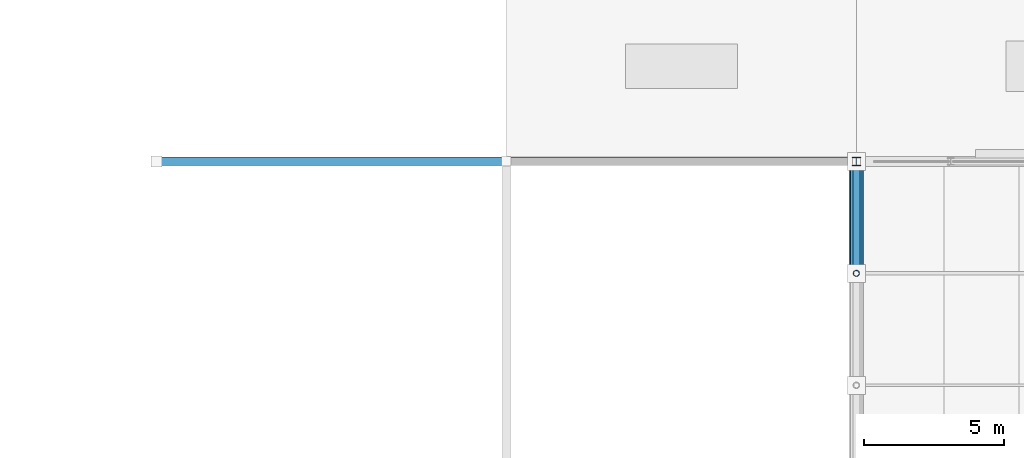
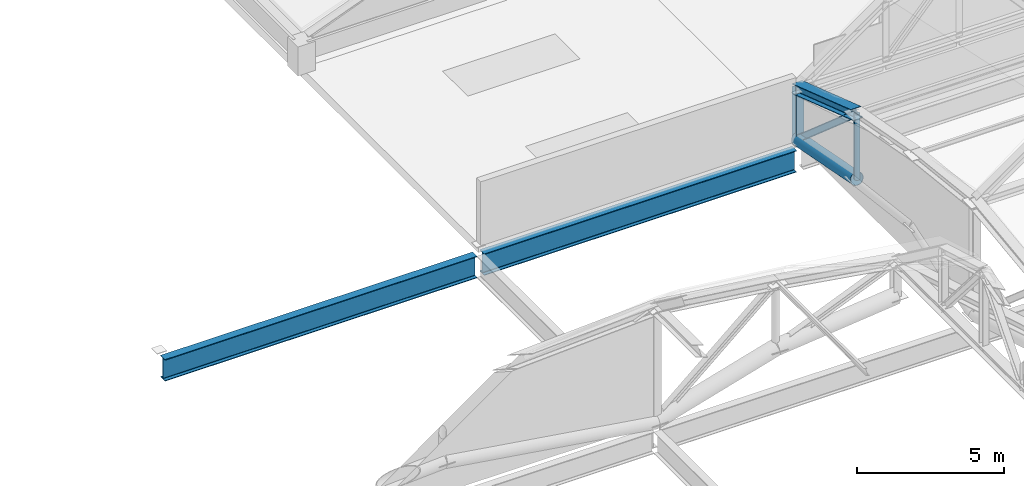
# One storey, part 78 of 117: 5 members, 2 beams.
"""IFC4 building model written with IfcOpenShell, lengths in metres."""

from ifc_helpers import new_model, si_unit, direction, frame, origin, origin_2d, place, context, subcontext, project, spatial, hollow_circle, i_section, extrude, material, material_profile, profile_set, type_object, element, save


model = new_model("IFC4")

# Units and contexts
model_context = context("Model", 3, precision=1e-05, world=origin(), true_north=direction((0.0, 1.0)))
body_context = subcontext(model_context, "Body", "Model", "MODEL_VIEW")
ifc_project = project(units=[si_unit("LENGTHUNIT", "METRE"), si_unit("AREAUNIT", "SQUARE_METRE"), si_unit("VOLUMEUNIT", "CUBIC_METRE"), si_unit("PLANEANGLEUNIT", "RADIAN"), si_unit("MASSUNIT", "GRAM", prefix="KILO")], contexts=[model_context])

# Site, building, storey
site_placement = place(None, origin())
site = spatial("IfcSite", under=ifc_project, at=site_placement, CompositionType="ELEMENT")
building_placement = place(site_placement, origin())
building = spatial("IfcBuilding", under=site, at=building_placement, Name="Kazenohara Klinker Stadium", CompositionType="ELEMENT")
storey_placement = place(building_placement, frame((0.0, 0.0, 31.199951171875)))
storey = spatial("IfcBuildingStorey", under=building, at=storey_placement, Name="RF", CompositionType="ELEMENT", Elevation=31.199951171875)

# Members
ifc_material = material(Name="Steel S355", Category="steel")
ifc_material_profile_1 = material_profile(ifc_material, i_section(OverallWidth=0.25, OverallDepth=0.25, WebThickness=0.009033203125, FlangeThickness=0.013916015625, FilletRadius=0.012939453125, at=origin_2d()), Name="H-250x250x9x14")
ifc_profile_set_1 = profile_set([ifc_material_profile_1], Name="Steel S355")
member_type_1 = type_object("IfcMemberType", Name="MEM-BRC02", PredefinedType="BRACE", material=ifc_profile_set_1)
member_1_placement = place(storey_placement, frame((61.5, 144.0, -0.02001953125), z_axis=(0.0, -0.755380190588, 0.655286782765), x_axis=(1.0, 0.0, 0.0)))
element("IfcMember", 1, at=member_1_placement, inside=storey, type_object=member_type_1, Name="ROOF TRUSS RT-N01 web diagonal 1", PredefinedType="BRACE", context=body_context, shape_type="SweptSolid", body=[
    extrude(i_section(OverallWidth=0.25, OverallDepth=0.25, WebThickness=0.009033203125, FlangeThickness=0.013916015625, FilletRadius=0.012939453125, at=origin_2d()), origin(), (0.0, 0.0, 1.0), 5.29541015625),
])
ifc_material_profile_2 = material_profile(ifc_material, i_section(OverallWidth=0.39990234375, OverallDepth=0.39990234375, WebThickness=0.012939453125, FlangeThickness=0.02099609375, FilletRadius=0.02197265625, at=origin_2d()), Name="H-400x400x13x21")
ifc_profile_set_2 = profile_set([ifc_material_profile_2], Name="Steel S355")
member_type_2 = type_object("IfcMemberType", Name="MEM-CHD01", PredefinedType="CHORD", material=ifc_profile_set_2)
member_2_placement = place(storey_placement, frame((61.5, 144.0, 2.10009765625), z_axis=(0.0, -0.947502791724, 0.319747493618), x_axis=(1.0, 0.0, 0.0)))
element("IfcMember", 2, at=member_2_placement, inside=storey, type_object=member_type_2, Name="ROOF TRUSS RT-N01 top arched chord 1", PredefinedType="CHORD", context=body_context, shape_type="SweptSolid", body=[
    extrude(i_section(OverallWidth=0.39990234375, OverallDepth=0.39990234375, WebThickness=0.012939453125, FlangeThickness=0.02099609375, FilletRadius=0.02197265625, at=origin_2d()), origin(), (0.0, 0.0, 1.0), 4.2216796875),
])
ifc_material_profile_3 = material_profile(ifc_material, hollow_circle(Radius=0.25390625, WallThickness=0.01611328125, at=origin_2d()), Name="CHS-508.0x16")
ifc_profile_set_3 = profile_set([ifc_material_profile_3], Name="Steel S355")
member_type_3 = type_object("IfcMemberType", Name="MEM-CHD04", PredefinedType="CHORD", material=ifc_profile_set_3)
member_3_placement = place(storey_placement, frame((61.5, 144.0, -0.02001953125), z_axis=(0.0, -0.981970519692, 0.189034119819), x_axis=(1.0, 0.0, 0.0)))
element("IfcMember", 3, at=member_3_placement, inside=storey, type_object=member_type_3, Name="ROOF TRUSS RT-N01 bottom arched chord 1", PredefinedType="CHORD", context=body_context, shape_type="SweptSolid", body=[
    extrude(hollow_circle(Radius=0.25390625, WallThickness=0.01611328125, at=origin_2d()), origin(), (0.0, 0.0, 1.0), 4.073486328125),
])
ifc_material_profile_4 = material_profile(ifc_material, i_section(OverallWidth=0.300048828125, OverallDepth=0.300048828125, WebThickness=0.010009765625, FlangeThickness=0.014892578125, FilletRadius=0.012939453125, at=origin_2d()), Name="H-300x300x10x15")
ifc_profile_set_4 = profile_set([ifc_material_profile_4], Name="Steel S355")
member_type_4 = type_object("IfcMemberType", Name="MEM-STR01", PredefinedType="STRUT", material=ifc_profile_set_4)
member_4_placement = place(storey_placement, frame((61.5, 144.0, -0.02001953125), z_axis=(0.0, 0.0, 1.0), x_axis=(1.0, 0.0, 0.0)))
element("IfcMember", 4, at=member_4_placement, inside=storey, type_object=member_type_4, Name="ROOF TRUSS RT-N01 web post 1", PredefinedType="STRUT", context=body_context, shape_type="SweptSolid", body=[
    extrude(i_section(OverallWidth=0.300048828125, OverallDepth=0.300048828125, WebThickness=0.010009765625, FlangeThickness=0.014892578125, FilletRadius=0.012939453125, at=origin_2d()), origin(), (0.0, 0.0, 1.0), 2.1201171875),
])
ifc_material_profile_5 = material_profile(ifc_material, hollow_circle(Radius=0.108154296875, WallThickness=0.008056640625, at=origin_2d()), Name="CHS-216.3x8")
ifc_profile_set_5 = profile_set([ifc_material_profile_5], Name="Steel S355")
member_type_5 = type_object("IfcMemberType", Name="MEM-STR04", PredefinedType="STRUT", material=ifc_profile_set_5)
member_5_placement = place(storey_placement, frame((61.5, 140.0, 0.75), z_axis=(0.0, 0.0, 1.0), x_axis=(1.0, 0.0, 0.0)))
element("IfcMember", 5, at=member_5_placement, inside=storey, type_object=member_type_5, Name="ROOF TRUSS RT-N01 web post 2", PredefinedType="STRUT", context=body_context, shape_type="SweptSolid", body=[
    extrude(hollow_circle(Radius=0.108154296875, WallThickness=0.008056640625, at=origin_2d()), origin(), (0.0, 0.0, 1.0), 2.699951171875),
])

# Beams
ifc_material_profile_6 = material_profile(ifc_material, i_section(OverallWidth=0.300048828125, OverallDepth=0.89990234375, WebThickness=0.01611328125, FlangeThickness=0.028076171875, FilletRadius=0.02197265625, at=origin_2d()), Name="H-900x300x16x28")
ifc_profile_set_6 = profile_set([ifc_material_profile_6], Name="Steel S355")
beam_type = type_object("IfcBeamType", Name="RING-RB01", PredefinedType="USERDEFINED", material=ifc_profile_set_6)
for number, where, z_axis, x_axis, name in (
    (6, (36.639892578125, 144.0, -0.820068359375), (1.0, 0.0, 0.0), (0.0, 1.0, 0.0), "Roof ring beam RB01 N-OUT 4-5"),
    (7, (49.139892578125, 144.0, -0.820068359375), (1.0, 0.0, 0.0), (0.0, 1.0, 0.0), "Roof ring beam RB01 N-OUT 5-6"),
):
    element("IfcBeam", number, at=place(storey_placement, frame(where, z_axis=z_axis, x_axis=x_axis)), inside=storey, type_object=beam_type, Name=name, ObjectType="RING BEAM", PredefinedType="USERDEFINED", context=body_context, shape_type="SweptSolid", body=[
        extrude(i_section(OverallWidth=0.300048828125, OverallDepth=0.89990234375, WebThickness=0.01611328125, FlangeThickness=0.028076171875, FilletRadius=0.02197265625, at=origin_2d()), origin(), (0.0, 0.0, 1.0), 12.22021484375),
    ])

save(model, "model.ifc")
